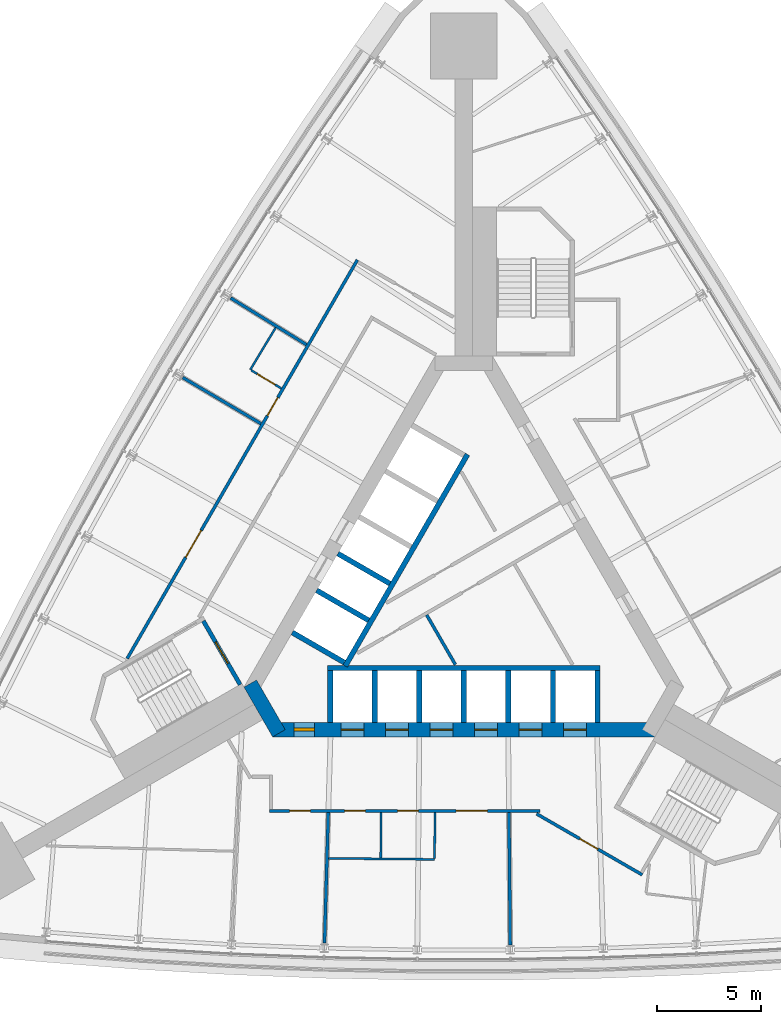
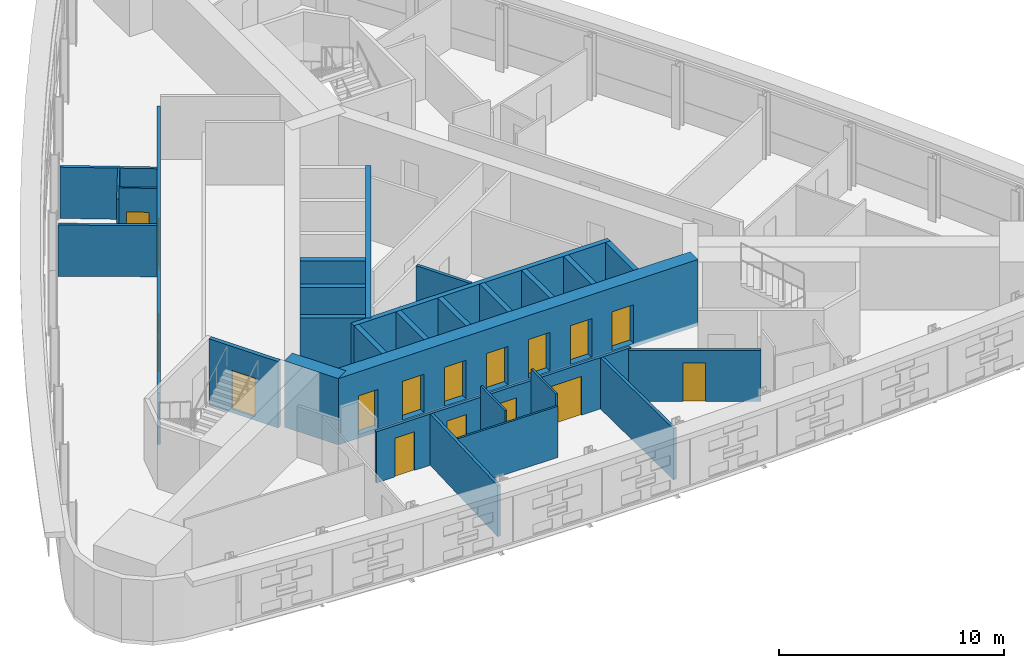
# One storey, part 9 of 14: 28 walls, 16 doors, 16 openings.
"""IFC4 building model written with IfcOpenShell, lengths in metres."""

import ifcopenshell
import ifcopenshell.guid

model = None  # the IFC model being written
_history = None  # IfcOwnerHistory: only IFC2X3 demands one
_inside = {}  # id of a spatial element -> (the spatial element, [elements in it])
_under = {}  # id of a project, library or spatial element -> (it, [spatial elements below it])
_declared = {}  # id of a project -> (the project, [libraries it declares])
_typed = {}  # id of a type object -> (the type object, [elements of that type])
_made_of = {}  # id of a material, layer set ... -> (it, [elements and type objects made of it])


def new_model(schema):
    """Start an empty IFC model of exactly this schema.

    Asked for "IFC4X3", IfcOpenShell would pick the latest addendum, in which some entities
    have other attributes; the version numbers below select the first issue.
    IFC2X3 requires an IfcOwnerHistory on every rooted entity: one is made here for all.
    """
    global model, _history
    if schema == "IFC4X3":
        model = ifcopenshell.file(schema_version=(4, 3, 0, 0))
    else:
        model = ifcopenshell.file(schema=schema)
    _inside.clear()
    _under.clear()
    _declared.clear()
    _typed.clear()
    _made_of.clear()
    _history = None
    if model.schema == "IFC2X3":
        org = make("IfcOrganization", Name="unknown")
        user = make(
            "IfcPersonAndOrganization",
            ThePerson=make("IfcPerson", FamilyName="unknown"),
            TheOrganization=org,
        )
        app = make(
            "IfcApplication",
            ApplicationDeveloper=org,
            Version="unknown",
            ApplicationFullName="unknown",
            ApplicationIdentifier="unknown",
        )
        _history = make(
            "IfcOwnerHistory",
            OwningUser=user,
            OwningApplication=app,
            ChangeAction="ADDED",
            CreationDate=0,
        )
    return model


def make(cls, **values):
    """One entity of the class cls with the attributes given. An attribute that is None is left unset."""
    return model.create_entity(
        cls, **{name: value for name, value in values.items() if value is not None}
    )


def rooted(cls, **values):
    """An entity with a GlobalId (a new one), such as an element, a storey or a relation."""
    return make(cls, GlobalId=ifcopenshell.guid.new(), OwnerHistory=_history, **values)


def si_unit(unit_type, name, prefix=None):
    """IfcSIUnit, for example si_unit("LENGTHUNIT", "METRE", prefix="MILLI")."""
    return make("IfcSIUnit", UnitType=unit_type, Prefix=prefix, Name=name)


def assignment(units):
    """IfcUnitAssignment: the units of a project."""
    return None if units is None else make("IfcUnitAssignment", Units=units)


def point(xyz):
    """IfcCartesianPoint."""
    return None if xyz is None else make("IfcCartesianPoint", Coordinates=xyz)


def direction(xyz):
    """IfcDirection."""
    return None if xyz is None else make("IfcDirection", DirectionRatios=xyz)


def frame(location, z_axis=None, x_axis=None):
    """IfcAxis2Placement3D, a coordinate frame: its origin and axes. An axis left out is left unset."""
    return make(
        "IfcAxis2Placement3D",
        Location=point(location),
        Axis=direction(z_axis),
        RefDirection=direction(x_axis),
    )


def frame_2d(location, x_axis=None):
    """IfcAxis2Placement2D, a coordinate frame in the plane: its origin and x axis."""
    return make(
        "IfcAxis2Placement2D", Location=point(location), RefDirection=direction(x_axis)
    )


def origin():
    """The frame at (0, 0, 0) with its axes left unset."""
    return frame((0.0, 0.0, 0.0))


def place(relative_to, where):
    """IfcLocalPlacement: puts the frame where relative to a parent placement (None: the world)."""
    return make(
        "IfcLocalPlacement", PlacementRelTo=relative_to, RelativePlacement=where
    )


def context(
    kind, dimensions, precision=None, world=None, true_north=None, identifier=None
):
    """IfcGeometricRepresentationContext, for example the 3D "Model" context."""
    return make(
        "IfcGeometricRepresentationContext",
        ContextIdentifier=identifier,
        ContextType=kind,
        CoordinateSpaceDimension=dimensions,
        Precision=precision,
        WorldCoordinateSystem=world,
        TrueNorth=true_north,
    )


def subcontext(parent, identifier, kind, view, scale=None):
    """IfcGeometricRepresentationSubContext, for example "Body" below "Model"."""
    return make(
        "IfcGeometricRepresentationSubContext",
        ContextIdentifier=identifier,
        ContextType=kind,
        ParentContext=parent,
        TargetScale=scale,
        TargetView=view,
    )


def project(units=None, contexts=None):
    """IfcProject with its units and contexts."""
    return rooted(
        "IfcProject",
        Name="project",
        RepresentationContexts=contexts,
        UnitsInContext=assignment(units),
    )


def spatial(cls, under=None, at=None, **own):
    """A site, building, storey or space (cls), placed at a placement, below another one or the project."""
    s = rooted(cls, ObjectPlacement=at, **own)
    if under is not None:
        _under.setdefault(under.id(), (under, []))[1].append(s)
    return s


def profile(cls, at=None, kind="AREA", **sizes):
    """A parametric profile (cls). Its sizes go by their IFC names, for example OverallWidth=200.0."""
    return make(cls, ProfileType=kind, Position=at, **sizes)


def rectangle(**sizes):
    """IfcRectangleProfileDef."""
    return profile("IfcRectangleProfileDef", **sizes)


def extrude(swept, where, along, depth):
    """IfcExtrudedAreaSolid: the profile swept, set in the frame where, extruded along a direction by depth."""
    return make(
        "IfcExtrudedAreaSolid",
        SweptArea=swept,
        Position=where,
        ExtrudedDirection=direction(along),
        Depth=depth,
    )


def shape(context_of_items, identifier, shape_type, items):
    """IfcShapeRepresentation: the items that make up one representation, for example the "Body"."""
    return make(
        "IfcShapeRepresentation",
        ContextOfItems=context_of_items,
        RepresentationIdentifier=identifier,
        RepresentationType=shape_type,
        Items=items,
    )


def material(Name=None, Category=None):
    """IfcMaterial."""
    return make("IfcMaterial", Name=Name, Category=Category)


def layer(
    of_material, thickness, ventilated=None, Name=None, Category=None, Priority=None
):
    """IfcMaterialLayer: one layer of a wall or slab, of a material (None: an air gap)."""
    return make(
        "IfcMaterialLayer",
        Material=of_material,
        LayerThickness=thickness,
        IsVentilated=ventilated,
        Name=Name,
        Category=Category,
        Priority=Priority,
    )


def layer_set(layers, Name=None):
    """IfcMaterialLayerSet."""
    return make("IfcMaterialLayerSet", MaterialLayers=layers, LayerSetName=Name)


def made_of(thing, what):
    """Note that an element or type object is made of a material, layer set ...; save() writes the relation."""
    if what is not None:
        _made_of.setdefault(what.id(), (what, []))[1].append(thing)
    return thing


def type_object(cls, material=None, **own):
    """A type object (cls), such as IfcWallType, which elements share."""
    return made_of(rooted(cls, **own), material)


def element(
    cls,
    number,
    at=None,
    inside=None,
    cuts=None,
    type_object=None,
    material=None,
    context=None,
    identifier="Body",
    shape_type=None,
    held_by="IfcProductDefinitionShape",
    body=None,
    shapes=None,
    **own,
):
    """One element of the class cls, such as IfcWall. Its Tag is "e" and its number.

    at: its placement. inside: the storey or other place that contains it. cuts: it is an
    opening in that element (IfcRelVoidsElement). A single representation is given by context,
    identifier, shape_type and body (its items); several are given by shapes. held_by: the class
    of the entity that holds the representations. save() writes the other relations.
    """
    e = rooted(cls, Tag="e%d" % number, ObjectPlacement=at, **own)
    if body is not None:
        shapes = [shape(context, identifier, shape_type, body)]
    if shapes is not None:
        e.Representation = make(held_by, Representations=shapes)
    if inside is not None:
        _inside.setdefault(inside.id(), (inside, []))[1].append(e)
    if cuts is not None:
        rooted(
            "IfcRelVoidsElement", RelatingBuildingElement=cuts, RelatedOpeningElement=e
        )
    if type_object is not None:
        _typed.setdefault(type_object.id(), (type_object, []))[1].append(e)
    return made_of(e, material)


def fill(opening, filler):
    """IfcRelFillsElement: the door or window that sits in an opening."""
    return rooted(
        "IfcRelFillsElement",
        RelatingOpeningElement=opening,
        RelatedBuildingElement=filler,
    )


def aggregate(whole, parts):
    """IfcRelAggregates: a whole, such as a stair, and the parts it consists of."""
    return rooted("IfcRelAggregates", RelatingObject=whole, RelatedObjects=parts)


def save(model, path):
    """Write the relations noted so far, then the file.

    IfcRelAggregates (storeys below a building ...), IfcRelContainedInSpatialStructure (elements
    in a storey), IfcRelDefinesByType, IfcRelAssociatesMaterial and IfcRelDeclares: one each for
    every whole, place, type object, material and project.
    """
    for whole, parts in _under.values():
        aggregate(whole, parts)
    for where, things in _inside.values():
        rooted(
            "IfcRelContainedInSpatialStructure",
            RelatedElements=things,
            RelatingStructure=where,
        )
    for kind, things in _typed.values():
        rooted("IfcRelDefinesByType", RelatedObjects=things, RelatingType=kind)
    for what, things in _made_of.values():
        rooted("IfcRelAssociatesMaterial", RelatedObjects=things, RelatingMaterial=what)
    for by, libraries in _declared.values():
        rooted("IfcRelDeclares", RelatingContext=by, RelatedDefinitions=libraries)
    model.write(path)


model = new_model("IFC4")

# Units and contexts
model_context = context("Model", 3, precision=1e-05, world=origin(), true_north=direction((0.0, 1.0)))
body_context = subcontext(model_context, "Body", "Model", "MODEL_VIEW")
ifc_project = project(units=[si_unit("LENGTHUNIT", "METRE"), si_unit("AREAUNIT", "SQUARE_METRE"), si_unit("VOLUMEUNIT", "CUBIC_METRE"), si_unit("PLANEANGLEUNIT", "RADIAN"), si_unit("MASSUNIT", "GRAM", prefix="KILO")], contexts=[model_context])

# Site, building, storey
site_placement = place(None, origin())
site = spatial("IfcSite", under=ifc_project, at=site_placement, CompositionType="ELEMENT")
building_placement = place(site_placement, origin())
building = spatial("IfcBuilding", under=site, at=building_placement, Name="Noor Cloister Tower", CompositionType="ELEMENT")
storey_placement = place(building_placement, frame((0.0, 0.0, 72.60009765625)))
storey = spatial("IfcBuildingStorey", under=building, at=storey_placement, Name="L18", CompositionType="ELEMENT", Elevation=72.60009765625)

# Wall
ifc_material_1 = material(Name="Concrete C30/37", Category="concrete")
ifc_layer_1 = layer(ifc_material_1, 0.14990234375)
ifc_layer_set_1 = layer_set([ifc_layer_1], Name="Core partition 150 C30/37")
wall_type_1 = type_object("IfcWallType", Name="Core partition 150 C30/37", PredefinedType="PARTITIONING", material=ifc_layer_set_1)
wall_1_placement = place(storey_placement, frame((-0.40673828125, -3.439208984375, 0.0), z_axis=(0.0, 0.0, 1.0), x_axis=(-0.500004591975, 0.86602275259, 0.0)))
element("IfcWall", 1, at=wall_1_placement, inside=storey, type_object=wall_type_1, Name="Core room partition L18 4", PredefinedType="PARTITIONING", context=body_context, shape_type="SweptSolid", body=[
    extrude(rectangle(XDim=2.771484375, YDim=0.14990234375, at=frame_2d((1.3857421875, 0.0))), origin(), (0.0, 0.0, 1.0), 3.39990234375),
])

# Wall, openings, doors
ifc_material_2 = material(Name="Concrete C80/95", Category="concrete")
ifc_layer_2 = layer(ifc_material_2, 0.699951171875)
ifc_layer_set_2 = layer_set([ifc_layer_2], Name="Core wall 700 C80/95")
wall_type_2 = type_object("IfcWallType", Name="Core wall 700 C80/95", PredefinedType="SHEAR", material=ifc_layer_set_2)
wall_2_placement = place(storey_placement, frame((-9.228759765625, -6.578125, -0.2001953125), z_axis=(0.0, 0.0, 1.0), x_axis=(1.0, 0.0, 0.0)))
wall_2 = element("IfcWall", 2, at=wall_2_placement, inside=storey, type_object=wall_type_2, Name="Core wall L18 1", PredefinedType="SHEAR", context=body_context, shape_type="SweptSolid", body=[
    extrude(rectangle(XDim=18.45751953125, YDim=0.699951171875, at=frame_2d((9.228759765625, 0.0))), origin(), (0.0, 0.0, 1.0), 3.60009765625),
])
opening_1_placement = place(wall_2_placement, frame((3.3037109375, 0.0, 0.199951171875)))
opening_1 = element("IfcOpeningElement", 3, at=opening_1_placement, cuts=wall_2, Name="Opening L18-LR1", PredefinedType="OPENING", context=body_context, shape_type="SweptSolid", body=[
    extrude(rectangle(XDim=1.10009765625, YDim=2.10009765625, at=frame_2d((0.550048828125, 1.050048828125))), frame((0.0, 0.35986328125, 0.0), z_axis=(0.0, -1.0, 0.0), x_axis=(1.0, 0.0, 0.0)), (0.0, 0.0, 1.0), 0.719970703125),
])
opening_2_placement = place(wall_2_placement, frame((5.45361328125, 0.0, 0.199951171875)))
opening_2 = element("IfcOpeningElement", 4, at=opening_2_placement, cuts=wall_2, Name="Opening L18-LR2", PredefinedType="OPENING", context=body_context, shape_type="SweptSolid", body=[
    extrude(rectangle(XDim=1.10009765625, YDim=2.10009765625, at=frame_2d((0.550048828125, 1.050048828125))), frame((0.0, 0.35986328125, 0.0), z_axis=(0.0, -1.0, 0.0), x_axis=(1.0, 0.0, 0.0)), (0.0, 0.0, 1.0), 0.719970703125),
])
opening_3_placement = place(wall_2_placement, frame((7.603759765625, 0.0, 0.199951171875)))
opening_3 = element("IfcOpeningElement", 5, at=opening_3_placement, cuts=wall_2, Name="Opening L18-LR3", PredefinedType="OPENING", context=body_context, shape_type="SweptSolid", body=[
    extrude(rectangle(XDim=1.10009765625, YDim=2.10009765625, at=frame_2d((0.550048828125, 1.050048828125))), frame((0.0, 0.35986328125, 0.0), z_axis=(0.0, -1.0, 0.0), x_axis=(1.0, 0.0, 0.0)), (0.0, 0.0, 1.0), 0.719970703125),
])
opening_4_placement = place(wall_2_placement, frame((9.753662109375, 0.0, 0.199951171875)))
opening_4 = element("IfcOpeningElement", 6, at=opening_4_placement, cuts=wall_2, Name="Opening L18-LR4", PredefinedType="OPENING", context=body_context, shape_type="SweptSolid", body=[
    extrude(rectangle(XDim=1.10009765625, YDim=2.10009765625, at=frame_2d((0.550048828125, 1.050048828125))), frame((0.0, 0.35986328125, 0.0), z_axis=(0.0, -1.0, 0.0), x_axis=(1.0, 0.0, 0.0)), (0.0, 0.0, 1.0), 0.719970703125),
])
opening_5_placement = place(wall_2_placement, frame((11.90380859375, 0.0, 0.199951171875)))
opening_5 = element("IfcOpeningElement", 7, at=opening_5_placement, cuts=wall_2, Name="Opening L18-LR5", PredefinedType="OPENING", context=body_context, shape_type="SweptSolid", body=[
    extrude(rectangle(XDim=1.10009765625, YDim=2.10009765625, at=frame_2d((0.550048828125, 1.050048828125))), frame((0.0, 0.35986328125, 0.0), z_axis=(0.0, -1.0, 0.0), x_axis=(1.0, 0.0, 0.0)), (0.0, 0.0, 1.0), 0.719970703125),
])
opening_6_placement = place(wall_2_placement, frame((14.0537109375, 0.0, 0.199951171875)))
opening_6 = element("IfcOpeningElement", 8, at=opening_6_placement, cuts=wall_2, Name="Opening L18-LR6", PredefinedType="OPENING", context=body_context, shape_type="SweptSolid", body=[
    extrude(rectangle(XDim=1.10009765625, YDim=2.10009765625, at=frame_2d((0.550048828125, 1.050048828125))), frame((0.0, 0.35986328125, 0.0), z_axis=(0.0, -1.0, 0.0), x_axis=(1.0, 0.0, 0.0)), (0.0, 0.0, 1.0), 0.719970703125),
])
opening_7_placement = place(wall_2_placement, frame((1.02880859375, 0.0, 0.199951171875)))
opening_7 = element("IfcOpeningElement", 9, at=opening_7_placement, cuts=wall_2, Name="Opening L18-907", PredefinedType="OPENING", context=body_context, shape_type="SweptSolid", body=[
    extrude(rectangle(XDim=1.0, YDim=2.10009765625, at=frame_2d((0.5, 1.050048828125))), frame((0.0, 0.35986328125, 0.0), z_axis=(0.0, -1.0, 0.0), x_axis=(1.0, 0.0, 0.0)), (0.0, 0.0, 1.0), 0.719970703125),
])
ifc_material_3 = material(Name="Steel", Category="steel")
door_type_1 = type_object("IfcDoorType", Name="Core door 1000 x 2100 FD60", OperationType="SINGLE_SWING_LEFT", PredefinedType="DOOR", material=ifc_material_3)
door_1_placement = place(opening_7_placement, origin())
door_1 = element("IfcDoor", 10, at=door_1_placement, inside=storey, type_object=door_type_1, Name="Core door 7 L18", OperationType="SINGLE_SWING_LEFT", OverallHeight=2.10009765625, OverallWidth=1.0, PredefinedType="DOOR", context=body_context, shape_type="SweptSolid", body=[
    extrude(rectangle(XDim=1.0, YDim=2.10009765625, at=frame_2d((0.5, 1.050048828125))), frame((0.0, 0.074951171875, 0.0), z_axis=(0.0, -1.0, 0.0), x_axis=(1.0, 0.0, 0.0)), (0.0, 0.0, 1.0), 0.14990234375),
])
fill(opening_7, door_1)
ifc_material_4 = material(Name="Stainless steel", Category="steel")
door_type_2 = type_object("IfcDoorType", Name="Lift landing door 1100 x 2100", OperationType="DOUBLE_DOOR_SLIDING", PredefinedType="DOOR", material=ifc_material_4)
door_2_placement = place(opening_1_placement, origin())
door_2 = element("IfcDoor", 11, at=door_2_placement, inside=storey, type_object=door_type_2, Name="Landing door LR1 L18", OperationType="DOUBLE_DOOR_SLIDING", OverallHeight=2.10009765625, OverallWidth=1.10009765625, PredefinedType="DOOR", context=body_context, shape_type="SweptSolid", body=[
    extrude(rectangle(XDim=1.10009765625, YDim=2.10009765625, at=frame_2d((0.550048828125, 1.050048828125))), frame((0.0, 0.02490234375, 0.0), z_axis=(0.0, -1.0, 0.0), x_axis=(1.0, 0.0, 0.0)), (0.0, 0.0, 1.0), 0.050048828125),
])
fill(opening_1, door_2)
door_3_placement = place(opening_2_placement, origin())
door_3 = element("IfcDoor", 12, at=door_3_placement, inside=storey, type_object=door_type_2, Name="Landing door LR2 L18", OperationType="DOUBLE_DOOR_SLIDING", OverallHeight=2.10009765625, OverallWidth=1.10009765625, PredefinedType="DOOR", context=body_context, shape_type="SweptSolid", body=[
    extrude(rectangle(XDim=1.10009765625, YDim=2.10009765625, at=frame_2d((0.550048828125, 1.050048828125))), frame((0.0, 0.02490234375, 0.0), z_axis=(0.0, -1.0, 0.0), x_axis=(1.0, 0.0, 0.0)), (0.0, 0.0, 1.0), 0.050048828125),
])
fill(opening_2, door_3)
door_4_placement = place(opening_3_placement, origin())
door_4 = element("IfcDoor", 13, at=door_4_placement, inside=storey, type_object=door_type_2, Name="Landing door LR3 L18", OperationType="DOUBLE_DOOR_SLIDING", OverallHeight=2.10009765625, OverallWidth=1.10009765625, PredefinedType="DOOR", context=body_context, shape_type="SweptSolid", body=[
    extrude(rectangle(XDim=1.10009765625, YDim=2.10009765625, at=frame_2d((0.550048828125, 1.050048828125))), frame((0.0, 0.02490234375, 0.0), z_axis=(0.0, -1.0, 0.0), x_axis=(1.0, 0.0, 0.0)), (0.0, 0.0, 1.0), 0.050048828125),
])
fill(opening_3, door_4)
door_5_placement = place(opening_4_placement, origin())
door_5 = element("IfcDoor", 14, at=door_5_placement, inside=storey, type_object=door_type_2, Name="Landing door LR4 L18", OperationType="DOUBLE_DOOR_SLIDING", OverallHeight=2.10009765625, OverallWidth=1.10009765625, PredefinedType="DOOR", context=body_context, shape_type="SweptSolid", body=[
    extrude(rectangle(XDim=1.10009765625, YDim=2.10009765625, at=frame_2d((0.550048828125, 1.050048828125))), frame((0.0, 0.02490234375, 0.0), z_axis=(0.0, -1.0, 0.0), x_axis=(1.0, 0.0, 0.0)), (0.0, 0.0, 1.0), 0.050048828125),
])
fill(opening_4, door_5)
door_6_placement = place(opening_5_placement, origin())
door_6 = element("IfcDoor", 15, at=door_6_placement, inside=storey, type_object=door_type_2, Name="Landing door LR5 L18", OperationType="DOUBLE_DOOR_SLIDING", OverallHeight=2.10009765625, OverallWidth=1.10009765625, PredefinedType="DOOR", context=body_context, shape_type="SweptSolid", body=[
    extrude(rectangle(XDim=1.10009765625, YDim=2.10009765625, at=frame_2d((0.550048828125, 1.050048828125))), frame((0.0, 0.02490234375, 0.0), z_axis=(0.0, -1.0, 0.0), x_axis=(1.0, 0.0, 0.0)), (0.0, 0.0, 1.0), 0.050048828125),
])
fill(opening_5, door_6)
door_7_placement = place(opening_6_placement, origin())
door_7 = element("IfcDoor", 16, at=door_7_placement, inside=storey, type_object=door_type_2, Name="Landing door LR6 L18", OperationType="DOUBLE_DOOR_SLIDING", OverallHeight=2.10009765625, OverallWidth=1.10009765625, PredefinedType="DOOR", context=body_context, shape_type="SweptSolid", body=[
    extrude(rectangle(XDim=1.10009765625, YDim=2.10009765625, at=frame_2d((0.550048828125, 1.050048828125))), frame((0.0, 0.02490234375, 0.0), z_axis=(0.0, -1.0, 0.0), x_axis=(1.0, 0.0, 0.0)), (0.0, 0.0, 1.0), 0.050048828125),
])
fill(opening_6, door_7)

# Wall
wall_3_placement = place(storey_placement, frame((-10.311279296875, -4.353271484375, -0.2001953125), z_axis=(0.0, 0.0, 1.0), x_axis=(0.500042739161, -0.866000726912, 0.0)))
element("IfcWall", 17, at=wall_3_placement, inside=storey, type_object=wall_type_2, Name="Core wall L18 6", PredefinedType="SHEAR", context=body_context, shape_type="SweptSolid", body=[
    extrude(rectangle(XDim=2.771240234375, YDim=0.699951171875, at=frame_2d((1.3857421875, 0.0))), origin(), (0.0, 0.0, 1.0), 3.60009765625),
])

# Wall, openings, doors
ifc_material_5 = material(Name="Gypsum board partition on steel studs, 150 mm", Category="steel")
ifc_layer_3 = layer(ifc_material_5, 0.14990234375)
ifc_layer_set_3 = layer_set([ifc_layer_3], Name="Flat wall 150")
wall_type_3 = type_object("IfcWallType", Name="Flat wall 150", PredefinedType="PARTITIONING", material=ifc_layer_set_3)
wall_4_placement = place(storey_placement, frame((-16.255615234375, -3.149169921875, 0.0), z_axis=(0.0, 0.0, 1.0), x_axis=(0.499999683919, 0.866025586274, 0.0)))
wall_4 = element("IfcWall", 18, at=wall_4_placement, inside=storey, type_object=wall_type_3, Name="Flat wall 150 L18 001", PredefinedType="PARTITIONING", context=body_context, shape_type="SweptSolid", body=[
    extrude(rectangle(XDim=22.23388671875, YDim=0.14990234375, at=frame_2d((11.116943359375, 0.0))), origin(), (0.0, 0.0, 1.0), 2.77783203125),
])
opening_8_placement = place(wall_4_placement, frame((13.551025390625, 0.0, 0.0)))
opening_8 = element("IfcOpeningElement", 19, at=opening_8_placement, cuts=wall_4, Name="Opening L18-001", PredefinedType="OPENING", context=body_context, shape_type="SweptSolid", body=[
    extrude(rectangle(XDim=1.0, YDim=2.10009765625, at=frame_2d((0.5, 1.050048828125))), frame((0.0, 0.0849609375, 0.0), z_axis=(0.0, -1.0, 0.0), x_axis=(1.0, 0.0, 0.0)), (0.0, 0.0, 1.0), 0.169921875),
])
opening_9_placement = place(wall_4_placement, frame((5.646728515625, 0.0, 0.0)))
opening_9 = element("IfcOpeningElement", 20, at=opening_9_placement, cuts=wall_4, Name="Opening L18-002", PredefinedType="OPENING", context=body_context, shape_type="SweptSolid", body=[
    extrude(rectangle(XDim=1.5, YDim=2.10009765625, at=frame_2d((0.75, 1.050048828125))), frame((0.0, 0.0849609375, 0.0), z_axis=(0.0, -1.0, 0.0), x_axis=(1.0, 0.0, 0.0)), (0.0, 0.0, 1.0), 0.169921875),
])
ifc_material_6 = material(Name="Timber door leaf with steel frame", Category="steel")
door_type_3 = type_object("IfcDoorType", Name="Assisted living door 1000", OperationType="NOTDEFINED", PredefinedType="DOOR", material=ifc_material_6)
door_8_placement = place(opening_8_placement, origin())
door_8 = element("IfcDoor", 21, at=door_8_placement, inside=storey, type_object=door_type_3, Name="Assisted living door 1000 L18-001", OperationType="SINGLE_SWING_RIGHT", OverallHeight=2.10009765625, OverallWidth=1.0, PredefinedType="DOOR", context=body_context, shape_type="SweptSolid", body=[
    extrude(rectangle(XDim=1.0, YDim=2.10009765625, at=frame_2d((0.5, 1.050048828125))), frame((0.0, 0.02490234375, 0.0), z_axis=(0.0, -1.0, 0.0), x_axis=(1.0, 0.0, 0.0)), (0.0, 0.0, 1.0), 0.050048828125),
])
fill(opening_8, door_8)
ifc_material_7 = material(Name="Timber door leaf with steel frame", Category="steel")
door_type_4 = type_object("IfcDoorType", Name="Double door 1500 FD60", OperationType="NOTDEFINED", PredefinedType="DOOR", material=ifc_material_7)
door_9_placement = place(opening_9_placement, origin())
door_9 = element("IfcDoor", 22, at=door_9_placement, inside=storey, type_object=door_type_4, Name="Double door 1500 L18-002", OperationType="DOUBLE_DOOR_SINGLE_SWING", OverallHeight=2.10009765625, OverallWidth=1.5, PredefinedType="DOOR", context=body_context, shape_type="SweptSolid", body=[
    extrude(rectangle(XDim=1.5, YDim=2.10009765625, at=frame_2d((0.75, 1.050048828125))), frame((0.0, 0.02490234375, 0.0), z_axis=(0.0, -1.0, 0.0), x_axis=(1.0, 0.0, 0.0)), (0.0, 0.0, 1.0), 0.050048828125),
])
fill(opening_9, door_9)

wall_5_placement = place(storey_placement, frame((3.68896484375, -10.503173828125, 0.0), z_axis=(0.0, 0.0, 1.0), x_axis=(-1.0, 0.0, 0.0)))
wall_5 = element("IfcWall", 23, at=wall_5_placement, inside=storey, type_object=wall_type_3, Name="Flat wall 150 L18 004", PredefinedType="PARTITIONING", context=body_context, shape_type="SweptSolid", body=[
    extrude(rectangle(XDim=13.067626953125, YDim=0.14990234375, at=frame_2d((6.53369140625, 0.0))), origin(), (0.0, 0.0, 1.0), 2.77783203125),
])
opening_10_placement = place(wall_5_placement, frame((11.103271484375, 0.0, 0.0)))
opening_10 = element("IfcOpeningElement", 24, at=opening_10_placement, cuts=wall_5, Name="Opening L18-006", PredefinedType="OPENING", context=body_context, shape_type="SweptSolid", body=[
    extrude(rectangle(XDim=1.0, YDim=2.10009765625, at=frame_2d((0.5, 1.050048828125))), frame((0.0, 0.0849609375, 0.0), z_axis=(0.0, -1.0, 0.0), x_axis=(1.0, 0.0, 0.0)), (0.0, 0.0, 1.0), 0.169921875),
])
opening_11_placement = place(wall_5_placement, frame((8.443115234375, 0.0, 0.0)))
opening_11 = element("IfcOpeningElement", 25, at=opening_11_placement, cuts=wall_5, Name="Opening L18-007", PredefinedType="OPENING", context=body_context, shape_type="SweptSolid", body=[
    extrude(rectangle(XDim=1.0, YDim=2.10009765625, at=frame_2d((0.5, 1.050048828125))), frame((0.0, 0.0849609375, 0.0), z_axis=(0.0, -1.0, 0.0), x_axis=(1.0, 0.0, 0.0)), (0.0, 0.0, 1.0), 0.169921875),
])
opening_12_placement = place(wall_5_placement, frame((5.87890625, 0.0, 0.0)))
opening_12 = element("IfcOpeningElement", 26, at=opening_12_placement, cuts=wall_5, Name="Opening L18-008", PredefinedType="OPENING", context=body_context, shape_type="SweptSolid", body=[
    extrude(rectangle(XDim=1.0, YDim=2.10009765625, at=frame_2d((0.5, 1.050048828125))), frame((0.0, 0.0849609375, 0.0), z_axis=(0.0, -1.0, 0.0), x_axis=(1.0, 0.0, 0.0)), (0.0, 0.0, 1.0), 0.169921875),
])
opening_13_placement = place(wall_5_placement, frame((2.55615234375, 0.0, 0.0)))
opening_13 = element("IfcOpeningElement", 27, at=opening_13_placement, cuts=wall_5, Name="Opening L18-009", PredefinedType="OPENING", context=body_context, shape_type="SweptSolid", body=[
    extrude(rectangle(XDim=1.5, YDim=2.10009765625, at=frame_2d((0.75, 1.050048828125))), frame((0.0, 0.0849609375, 0.0), z_axis=(0.0, -1.0, 0.0), x_axis=(1.0, 0.0, 0.0)), (0.0, 0.0, 1.0), 0.169921875),
])
ifc_material_8 = material(Name="Timber door leaf with steel frame", Category="steel")
door_type_5 = type_object("IfcDoorType", Name="Accessible WC door 1000", OperationType="NOTDEFINED", PredefinedType="DOOR", material=ifc_material_8)
door_10_placement = place(opening_11_placement, origin())
door_10 = element("IfcDoor", 28, at=door_10_placement, inside=storey, type_object=door_type_5, Name="Accessible WC door 1000 L18-007", OperationType="SINGLE_SWING_RIGHT", OverallHeight=2.10009765625, OverallWidth=1.0, PredefinedType="DOOR", context=body_context, shape_type="SweptSolid", body=[
    extrude(rectangle(XDim=1.0, YDim=2.10009765625, at=frame_2d((0.5, 1.050048828125))), frame((0.0, 0.02490234375, 0.0), z_axis=(0.0, -1.0, 0.0), x_axis=(1.0, 0.0, 0.0)), (0.0, 0.0, 1.0), 0.050048828125),
])
fill(opening_11, door_10)
door_11_placement = place(opening_13_placement, origin())
door_11 = element("IfcDoor", 29, at=door_11_placement, inside=storey, type_object=door_type_4, Name="Double door 1500 L18-009", OperationType="DOUBLE_DOOR_SINGLE_SWING", OverallHeight=2.10009765625, OverallWidth=1.5, PredefinedType="DOOR", context=body_context, shape_type="SweptSolid", body=[
    extrude(rectangle(XDim=1.5, YDim=2.10009765625, at=frame_2d((0.75, 1.050048828125))), frame((0.0, 0.02490234375, 0.0), z_axis=(0.0, -1.0, 0.0), x_axis=(1.0, 0.0, 0.0)), (0.0, 0.0, 1.0), 0.050048828125),
])
fill(opening_13, door_11)
ifc_material_9 = material(Name="Timber door leaf with steel frame", Category="steel")
door_type_6 = type_object("IfcDoorType", Name="Flat entrance door 1000 FD60S", OperationType="NOTDEFINED", PredefinedType="DOOR", material=ifc_material_9)
door_12_placement = place(opening_10_placement, origin())
door_12 = element("IfcDoor", 30, at=door_12_placement, inside=storey, type_object=door_type_6, Name="Flat entrance door 1000 L18-006", OperationType="SINGLE_SWING_RIGHT", OverallHeight=2.10009765625, OverallWidth=1.0, PredefinedType="DOOR", context=body_context, shape_type="SweptSolid", body=[
    extrude(rectangle(XDim=1.0, YDim=2.10009765625, at=frame_2d((0.5, 1.050048828125))), frame((0.0, 0.02490234375, 0.0), z_axis=(0.0, -1.0, 0.0), x_axis=(1.0, 0.0, 0.0)), (0.0, 0.0, 1.0), 0.050048828125),
])
fill(opening_10, door_12)
ifc_material_10 = material(Name="Timber door leaf with steel frame", Category="steel")
door_type_7 = type_object("IfcDoorType", Name="Interior door 1000 FD60", OperationType="NOTDEFINED", PredefinedType="DOOR", material=ifc_material_10)
door_13_placement = place(opening_12_placement, origin())
door_13 = element("IfcDoor", 31, at=door_13_placement, inside=storey, type_object=door_type_7, Name="Interior door 1000 L18-008", OperationType="SINGLE_SWING_LEFT", OverallHeight=2.10009765625, OverallWidth=1.0, PredefinedType="DOOR", context=body_context, shape_type="SweptSolid", body=[
    extrude(rectangle(XDim=1.0, YDim=2.10009765625, at=frame_2d((0.5, 1.050048828125))), frame((0.0, 0.02490234375, 0.0), z_axis=(0.0, -1.0, 0.0), x_axis=(1.0, 0.0, 0.0)), (0.0, 0.0, 1.0), 0.050048828125),
])
fill(opening_12, door_13)

# Wall, opening, door
wall_6_placement = place(storey_placement, frame((8.6162109375, -13.58935546875, 0.0), z_axis=(0.0, 0.0, 1.0), x_axis=(-0.866039313704, 0.499975906538, 0.0)))
wall_6 = element("IfcWall", 32, at=wall_6_placement, inside=storey, type_object=wall_type_3, Name="Flat wall 150 L18 006", PredefinedType="PARTITIONING", context=body_context, shape_type="SweptSolid", body=[
    extrude(rectangle(XDim=5.892333984375, YDim=0.14990234375, at=frame_2d((2.9462890625, 0.0))), origin(), (0.0, 0.0, 1.0), 2.77783203125),
])
opening_14_placement = place(wall_6_placement, frame((2.47509765625, 0.0, 0.0)))
opening_14 = element("IfcOpeningElement", 33, at=opening_14_placement, cuts=wall_6, Name="Opening L18-010", PredefinedType="OPENING", context=body_context, shape_type="SweptSolid", body=[
    extrude(rectangle(XDim=1.0, YDim=2.10009765625, at=frame_2d((0.5, 1.050048828125))), frame((0.0, 0.0849609375, 0.0), z_axis=(0.0, -1.0, 0.0), x_axis=(1.0, 0.0, 0.0)), (0.0, 0.0, 1.0), 0.169921875),
])
door_14_placement = place(opening_14_placement, origin())
door_14 = element("IfcDoor", 34, at=door_14_placement, inside=storey, type_object=door_type_6, Name="Flat entrance door 1000 L18-010", OperationType="SINGLE_SWING_RIGHT", OverallHeight=2.10009765625, OverallWidth=1.0, PredefinedType="DOOR", context=body_context, shape_type="SweptSolid", body=[
    extrude(rectangle(XDim=1.0, YDim=2.10009765625, at=frame_2d((0.5, 1.050048828125))), frame((0.0, 0.02490234375, 0.0), z_axis=(0.0, -1.0, 0.0), x_axis=(1.0, 0.0, 0.0)), (0.0, 0.0, 1.0), 0.050048828125),
])
fill(opening_14, door_14)

# Walls
wall_7_placement = place(storey_placement, frame((2.2421875, -16.96826171875, 0.0), z_axis=(0.0, 0.0, 1.0), x_axis=(-0.009628532285, 0.999953644609, 0.0)))
element("IfcWall", 35, at=wall_7_placement, inside=storey, type_object=wall_type_3, Name="Flat wall 150 L18 017", PredefinedType="PARTITIONING", context=body_context, shape_type="SweptSolid", body=[
    extrude(rectangle(XDim=6.3896484375, YDim=0.14990234375, at=frame_2d((3.19482421875, 0.0))), origin(), (0.0, 0.0, 1.0), 2.77783203125),
])
wall_8_placement = place(storey_placement, frame((-6.725830078125, -16.8818359375, 0.0), z_axis=(0.0, 0.0, 1.0), x_axis=(0.028929036321, 0.999581467844, 0.0)))
element("IfcWall", 36, at=wall_8_placement, inside=storey, type_object=wall_type_3, Name="Flat wall 150 L18 018", PredefinedType="PARTITIONING", context=body_context, shape_type="SweptSolid", body=[
    extrude(rectangle(XDim=6.30419921875, YDim=0.14990234375, at=frame_2d((3.152099609375, 0.0))), origin(), (0.0, 0.0, 1.0), 2.77783203125),
])
wall_9_placement = place(storey_placement, frame((-13.573974609375, 10.426025390625, 0.0), z_axis=(0.0, 0.0, 1.0), x_axis=(0.861161165873, -0.508332023772, 0.0)))
element("IfcWall", 37, at=wall_9_placement, inside=storey, type_object=wall_type_3, Name="Flat wall 150 L18 019", PredefinedType="PARTITIONING", context=body_context, shape_type="SweptSolid", body=[
    extrude(rectangle(XDim=4.3896484375, YDim=0.14990234375, at=frame_2d((2.19482421875, 0.0))), origin(), (0.0, 0.0, 1.0), 2.77783203125),
])
wall_10_placement = place(storey_placement, frame((-11.257080078125, 14.265625, 0.0), z_axis=(0.0, 0.0, 1.0), x_axis=(0.851192414307, -0.524853764231, 0.0)))
element("IfcWall", 38, at=wall_10_placement, inside=storey, type_object=wall_type_3, Name="Flat wall 150 L18 020", PredefinedType="PARTITIONING", context=body_context, shape_type="SweptSolid", body=[
    extrude(rectangle(XDim=4.30322265625, YDim=0.14990234375, at=frame_2d((2.151611328125, 0.0))), origin(), (0.0, 0.0, 1.0), 2.77783203125),
])
ifc_material_11 = material(Name="Gypsum board partition on steel studs, 100 mm", Category="steel")
ifc_layer_4 = layer(ifc_material_11, 0.10009765625)
ifc_layer_set_4 = layer_set([ifc_layer_4], Name="Partition 100")
wall_type_4 = type_object("IfcWallType", Name="Partition 100", PredefinedType="PARTITIONING", material=ifc_layer_set_4)
wall_11_placement = place(storey_placement, frame((-6.531494140625, -12.794921875, 0.0), z_axis=(0.0, 0.0, 1.0), x_axis=(0.99995315176, -0.009679580841, 0.0)))
element("IfcWall", 39, at=wall_11_placement, inside=storey, type_object=wall_type_4, Name="Partition 100 L18 027", PredefinedType="PARTITIONING", context=body_context, shape_type="SweptSolid", body=[
    extrude(rectangle(XDim=5.1201171875, YDim=0.10009765625, at=frame_2d((2.56005859375, 0.0))), origin(), (0.0, 0.0, 1.0), 2.77783203125),
])
wall_12_placement = place(storey_placement, frame((-9.0830078125, 12.83642578125, 0.0), z_axis=(0.0, 0.0, 1.0), x_axis=(-0.516596087141, -0.856229223252, 0.0)))
element("IfcWall", 40, at=wall_12_placement, inside=storey, type_object=wall_type_4, Name="Partition 100 L18 033", PredefinedType="PARTITIONING", context=body_context, shape_type="SweptSolid", body=[
    extrude(rectangle(XDim=2.374267578125, YDim=0.10009765625, at=frame_2d((1.18701171875, 0.0))), origin(), (0.0, 0.0, 1.0), 2.77783203125),
])
wall_13_placement = place(storey_placement, frame((-1.4111328125, -12.79443359375, 0.0), z_axis=(0.0, 0.0, 1.0), x_axis=(0.009585280215, 0.999954060146, 0.0)))
element("IfcWall", 41, at=wall_13_placement, inside=storey, type_object=wall_type_4, Name="Partition 100 L18 034", PredefinedType="PARTITIONING", context=body_context, shape_type="SweptSolid", body=[
    extrude(rectangle(XDim=2.2158203125, YDim=0.10009765625, at=frame_2d((1.10791015625, 0.0))), origin(), (0.0, 0.0, 1.0), 3.39990234375),
])
wall_14_placement = place(storey_placement, frame((-4.010986328125, -12.769287109375, 0.0), z_axis=(0.0, 0.0, 1.0), x_axis=(0.009583868309, 0.99995407368, 0.0)))
element("IfcWall", 42, at=wall_14_placement, inside=storey, type_object=wall_type_4, Name="Partition 100 L18 035", PredefinedType="PARTITIONING", context=body_context, shape_type="SweptSolid", body=[
    extrude(rectangle(XDim=2.190673828125, YDim=0.10009765625, at=frame_2d((1.09521484375, 0.0))), origin(), (0.0, 0.0, 1.0), 3.39990234375),
])

# Wall, opening, door
wall_15_placement = place(storey_placement, frame((-10.266845703125, 10.777587890625, 0.0), z_axis=(0.0, 0.0, 1.0), x_axis=(0.856198606516, -0.516646829275, 0.0)))
wall_15 = element("IfcWall", 43, at=wall_15_placement, inside=storey, type_object=wall_type_4, Name="Partition 100 L18 037", PredefinedType="PARTITIONING", context=body_context, shape_type="SweptSolid", body=[
    extrude(rectangle(XDim=1.701171875, YDim=0.10009765625, at=frame_2d((0.8505859375, 0.0))), origin(), (0.0, 0.0, 1.0), 3.39990234375),
])
opening_15_placement = place(wall_15_placement, frame((0.34423828125, 0.0, 0.0)))
opening_15 = element("IfcOpeningElement", 44, at=opening_15_placement, cuts=wall_15, Name="Opening L18-023", PredefinedType="OPENING", context=body_context, shape_type="SweptSolid", body=[
    extrude(rectangle(XDim=1.0, YDim=2.10009765625, at=frame_2d((0.5, 1.050048828125))), frame((0.0, 0.06005859375, 0.0), z_axis=(0.0, -1.0, 0.0), x_axis=(1.0, 0.0, 0.0)), (0.0, 0.0, 1.0), 0.1201171875),
])
ifc_material_12 = material(Name="Timber door leaf with steel frame", Category="steel")
door_type_8 = type_object("IfcDoorType", Name="Interior door 1000", OperationType="NOTDEFINED", PredefinedType="DOOR", material=ifc_material_12)
door_15_placement = place(opening_15_placement, origin())
door_15 = element("IfcDoor", 45, at=door_15_placement, inside=storey, type_object=door_type_8, Name="Interior door 1000 L18-023", OperationType="SINGLE_SWING_LEFT", OverallHeight=2.10009765625, OverallWidth=1.0, PredefinedType="DOOR", context=body_context, shape_type="SweptSolid", body=[
    extrude(rectangle(XDim=1.0, YDim=2.10009765625, at=frame_2d((0.5, 1.050048828125))), frame((0.0, 0.02490234375, 0.0), z_axis=(0.0, -1.0, 0.0), x_axis=(1.0, 0.0, 0.0)), (0.0, 0.0, 1.0), 0.050048828125),
])
fill(opening_15, door_15)

# Walls
ifc_material_13 = material(Name="Concrete C80/95", Category="concrete")
ifc_layer_5 = layer(ifc_material_13, 0.25)
ifc_layer_set_5 = layer_set([ifc_layer_5], Name="Shaft wall 250 C80/95")
wall_type_5 = type_object("IfcWallType", Name="Shaft wall 250 C80/95", PredefinedType="PARTITIONING", material=ifc_layer_set_5)
for number, where, z_axis, x_axis, name in (
    (46, (-6.449951171875, -6.228271484375, -0.2001953125), (0.0, 0.0, 1.0), (0.0, 1.0, 0.0), "Lift shaft wall L18 S 1"),
    (47, (-4.300048828125, -6.228271484375, -0.2001953125), (0.0, 0.0, 1.0), (0.0, 1.0, 0.0), "Lift shaft wall L18 S 2"),
    (48, (-2.14990234375, -6.228271484375, -0.2001953125), (0.0, 0.0, 1.0), (0.0, 1.0, 0.0), "Lift shaft wall L18 S 3"),
    (49, (0.0, -6.228271484375, -0.2001953125), (0.0, 0.0, 1.0), (0.0, 1.0, 0.0), "Lift shaft wall L18 S 4"),
    (50, (2.14990234375, -6.228271484375, -0.2001953125), (0.0, 0.0, 1.0), (0.0, 1.0, 0.0), "Lift shaft wall L18 S 5"),
    (51, (4.300048828125, -6.228271484375, -0.2001953125), (0.0, 0.0, 1.0), (0.0, 1.0, 0.0), "Lift shaft wall L18 S 6"),
    (52, (6.449951171875, -6.228271484375, -0.2001953125), (0.0, 0.0, 1.0), (0.0, 1.0, 0.0), "Lift shaft wall L18 S 7"),
):
    element("IfcWall", number, at=place(storey_placement, frame(where, z_axis=z_axis, x_axis=x_axis)), inside=storey, type_object=wall_type_5, Name=name, PredefinedType="PARTITIONING", context=body_context, shape_type="SweptSolid", body=[
        extrude(rectangle(XDim=2.5, YDim=0.25, at=frame_2d((1.25, 0.0))), origin(), (0.0, 0.0, 1.0), 3.60009765625),
    ])
wall_16_placement = place(storey_placement, frame((-6.574951171875, -3.603271484375, 0.0), z_axis=(0.0, 0.0, 1.0), x_axis=(1.0, 0.0, 0.0)))
element("IfcWall", 53, at=wall_16_placement, inside=storey, type_object=wall_type_5, Name="Lift shaft back wall L18 S", PredefinedType="PARTITIONING", context=body_context, shape_type="SweptSolid", body=[
    extrude(rectangle(XDim=13.14990234375, YDim=0.25, at=frame_2d((6.574951171875, 0.0))), origin(), (0.0, 0.0, 1.0), 3.39990234375),
])
for number, where, z_axis, x_axis, name in (
    (54, (-6.081298828125, 1.92333984375, -0.2001953125), (0.0, 0.0, 1.0), (0.866032775405, -0.499987231761, 0.0), "Lift shaft wall L18 NW 4"),
    (55, (-7.106201171875, 0.14794921875, -0.2001953125), (0.0, 0.0, 1.0), (0.866032775405, -0.499987231761, 0.0), "Lift shaft wall L18 NW 5"),
    (56, (-8.28125, -1.88720703125, -0.2001953125), (0.0, 0.0, 1.0), (0.866032775405, -0.499987231761, 0.0), "Lift shaft wall L18 NW 6"),
):
    element("IfcWall", number, at=place(storey_placement, frame(where, z_axis=z_axis, x_axis=x_axis)), inside=storey, type_object=wall_type_5, Name=name, PredefinedType="PARTITIONING", context=body_context, shape_type="SweptSolid", body=[
        extrude(rectangle(XDim=2.89990234375, YDim=0.25, at=frame_2d((1.449951171875, 0.0))), origin(), (0.0, 0.0, 1.0), 3.60009765625),
    ])
wall_17_placement = place(storey_placement, frame((0.176025390625, 6.711181640625, 0.0), z_axis=(0.0, 0.0, 1.0), x_axis=(-0.500004227369, -0.866022963098, 0.0)))
element("IfcWall", 57, at=wall_17_placement, inside=storey, type_object=wall_type_5, Name="Lift shaft back wall L18 NW", PredefinedType="PARTITIONING", context=body_context, shape_type="SweptSolid", body=[
    extrude(rectangle(XDim=11.80029296875, YDim=0.25, at=frame_2d((5.900146484375, 0.0))), origin(), (0.0, 0.0, 1.0), 3.39990234375),
])

# Wall, opening, door
ifc_material_14 = material(Name="Concrete C80/95", Category="concrete")
ifc_layer_6 = layer(ifc_material_14, 0.199951171875)
ifc_layer_set_6 = layer_set([ifc_layer_6], Name="Stair enclosure wall 200 C80/95")
wall_type_6 = type_object("IfcWallType", Name="Stair enclosure wall 200 C80/95", PredefinedType="SHEAR", material=ifc_layer_set_6)
wall_18_placement = place(storey_placement, frame((-12.575927734375, -1.33056640625, -0.2001953125), z_axis=(0.0, 0.0, 1.0), x_axis=(0.499970499736, -0.8660424351, 0.0)))
wall_18 = element("IfcWall", 58, at=wall_18_placement, inside=storey, type_object=wall_type_6, Name="Stair enclosure wall ST2 L18 near end", PredefinedType="SHEAR", context=body_context, shape_type="SweptSolid", body=[
    extrude(rectangle(XDim=3.550048828125, YDim=0.199951171875, at=frame_2d((1.77490234375, 0.0))), origin(), (0.0, 0.0, 1.0), 3.60009765625),
])
opening_16_placement = place(wall_18_placement, frame((1.175048828125, 0.0, 0.199951171875)))
opening_16 = element("IfcOpeningElement", 59, at=opening_16_placement, cuts=wall_18, Name="Opening L18-ST2L", PredefinedType="OPENING", context=body_context, shape_type="SweptSolid", body=[
    extrude(rectangle(XDim=1.199951171875, YDim=2.10009765625, at=frame_2d((0.60009765625, 1.050048828125))), frame((0.0, 0.10986328125, 0.0), z_axis=(0.0, -1.0, 0.0), x_axis=(1.0, 0.0, 0.0)), (0.0, 0.0, 1.0), 0.219970703125),
])
ifc_material_15 = material(Name="Steel", Category="steel")
door_type_9 = type_object("IfcDoorType", Name="Stair door 1200 x 2100 FD120", OperationType="SINGLE_SWING_LEFT", PredefinedType="DOOR", material=ifc_material_15)
door_16_placement = place(opening_16_placement, origin())
door_16 = element("IfcDoor", 60, at=door_16_placement, inside=storey, type_object=door_type_9, Name="Stair door ST2 L18", OperationType="SINGLE_SWING_RIGHT", OverallHeight=2.10009765625, OverallWidth=1.199951171875, PredefinedType="DOOR", context=body_context, shape_type="SweptSolid", body=[
    extrude(rectangle(XDim=1.199951171875, YDim=2.10009765625, at=frame_2d((0.60009765625, 1.050048828125))), frame((0.0, 0.02490234375, 0.0), z_axis=(0.0, -1.0, 0.0), x_axis=(1.0, 0.0, 0.0)), (0.0, 0.0, 1.0), 0.050048828125),
])
fill(opening_16, door_16)

save(model, "model.ifc")
